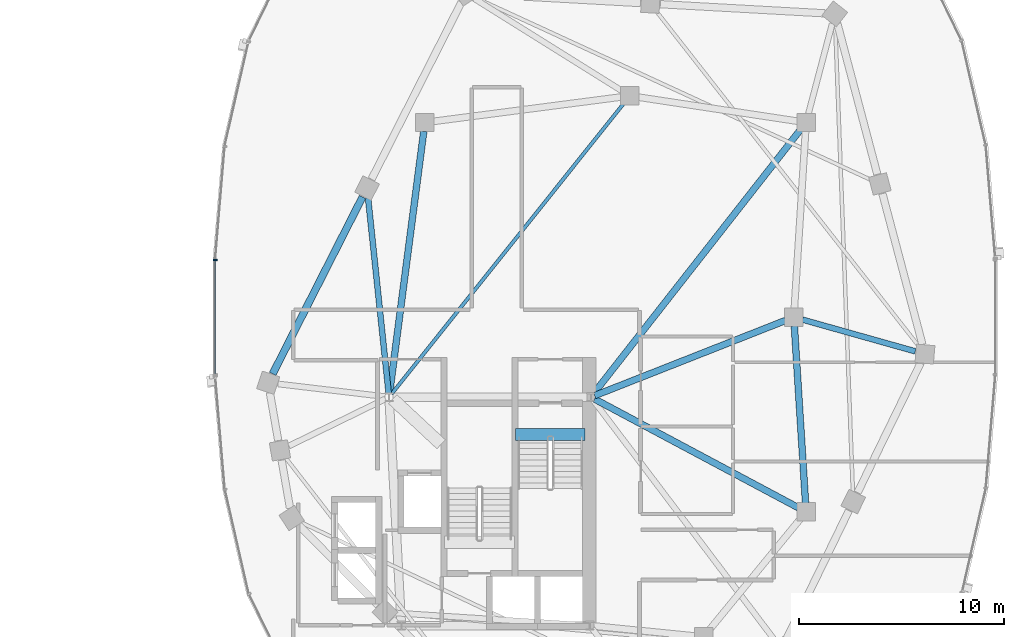
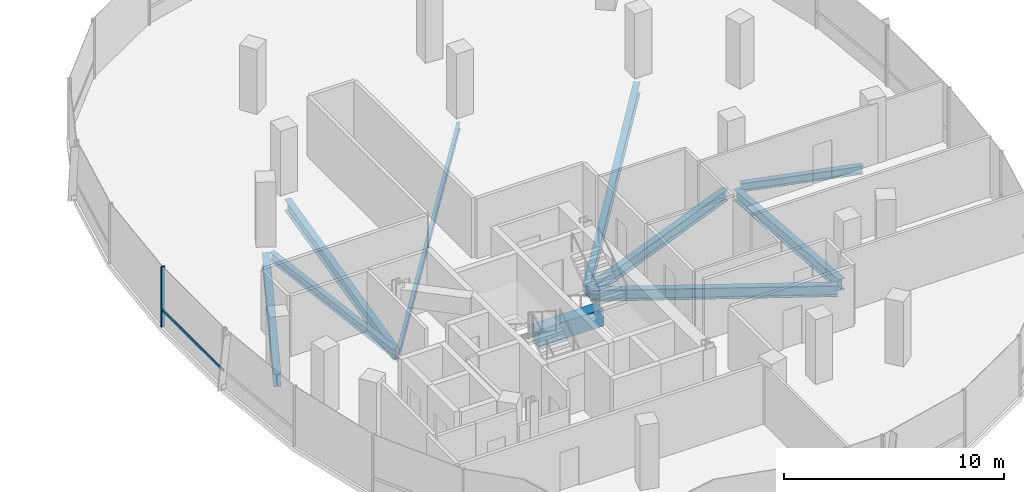
# One storey, part 9 of 25: 10 beams, 2 members, 1 element without a shape of its own.
"""IFC4 building model written with IfcOpenShell, lengths in metres."""

from ifc_helpers import new_model, si_unit, direction, frame, origin, origin_2d, place, context, subcontext, project, spatial, rectangle, i_section, extrude, material, material_profile, profile_set, type_object, element, aggregate, save


model = new_model("IFC4")

# Units and contexts
model_context = context("Model", 3, precision=1e-05, world=origin(), true_north=direction((0.0, 1.0)))
body_context = subcontext(model_context, "Body", "Model", "MODEL_VIEW")
ifc_project = project(units=[si_unit("LENGTHUNIT", "METRE"), si_unit("AREAUNIT", "SQUARE_METRE"), si_unit("VOLUMEUNIT", "CUBIC_METRE"), si_unit("PLANEANGLEUNIT", "RADIAN"), si_unit("MASSUNIT", "GRAM", prefix="KILO"), si_unit("THERMODYNAMICTEMPERATUREUNIT", "KELVIN"), si_unit("POWERUNIT", "WATT")], contexts=[model_context])

# Site, building, storey
site_placement = place(None, origin())
site = spatial("IfcSite", under=ifc_project, at=site_placement, CompositionType="ELEMENT")
building_placement = place(site_placement, origin())
building = spatial("IfcBuilding", under=site, at=building_placement, Name="Cundina Bronze Exchange", CompositionType="ELEMENT")
storey_placement = place(building_placement, frame((0.0, 0.0, 191.800048828125)))
storey = spatial("IfcBuildingStorey", under=building, at=storey_placement, Name="L50", CompositionType="ELEMENT", Elevation=191.800048828125)

# Beams
ifc_material_1 = material(Name="Concrete C60/75", Category="concrete")
ifc_material_profile_1 = material_profile(ifc_material_1, rectangle(XDim=0.60009765625, YDim=0.949951171875, at=origin_2d()), Name="RC600X950", Category="concrete")
ifc_profile_set_1 = profile_set([ifc_material_profile_1], Name="Concrete C60/75")
beam_type_1 = type_object("IfcBeamType", Name="BM-COUP-RC950", PredefinedType="LINTEL", material=ifc_profile_set_1)
beam_1_placement = place(storey_placement, frame((27.6201171875, -5.719970703125, -0.47509765625), z_axis=(1.0, 0.0, 0.0), x_axis=(0.0, 1.0, 0.0)))
element("IfcBeam", 1, at=beam_1_placement, inside=storey, type_object=beam_type_1, Name="L50 Stair E1 Landing Header Beam", PredefinedType="LINTEL", context=body_context, shape_type="SweptSolid", body=[
    extrude(rectangle(XDim=0.60009765625, YDim=0.949951171875, at=origin_2d()), origin(), (0.0, 0.0, 1.0), 3.39990234375),
])
ifc_material_2 = material(Name="Steel ASTM A992 Grade 50", Category="steel")
ifc_material_profile_2 = material_profile(ifc_material_2, i_section(OverallWidth=0.280029296875, OverallDepth=0.462890625, WebThickness=0.0107421875, FlangeThickness=0.017333984375, FilletRadius=0.011962890625, at=origin_2d()), Name="W18X76", Category="steel")
ifc_profile_set_2 = profile_set([ifc_material_profile_2], Name="Steel ASTM A992 Grade 50")
beam_type_2 = type_object("IfcBeamType", Name="BM-FLR-W18A", PredefinedType="BEAM", material=ifc_profile_set_2)
beam_2_placement = place(storey_placement, frame((41.62158203125, -0.11865234375, -0.491455078125), z_axis=(0.962649202648, -0.270751754643, 0.0), x_axis=(0.270751754643, 0.962649202648, 0.0)))
element("IfcBeam", 2, at=beam_2_placement, inside=storey, type_object=beam_type_2, Name="L50 Leg E Chordal Floor Beam 08", PredefinedType="BEAM", context=body_context, shape_type="SweptSolid", body=[
    extrude(i_section(OverallWidth=0.280029296875, OverallDepth=0.462890625, WebThickness=0.0107421875, FlangeThickness=0.017333984375, FilletRadius=0.011962890625, at=origin_2d()), origin(), (0.0, 0.0, 1.0), 5.72216796875),
])
beam_3_placement = place(storey_placement, frame((21.429443359375, -3.705078125, -0.491455078125), z_axis=(-0.104822856345, 0.994490909354, 0.0), x_axis=(-0.994490909354, -0.104822856345, 0.0)))
element("IfcBeam", 3, at=beam_3_placement, inside=storey, type_object=beam_type_2, Name="L50 Leg E Chordal Floor Beam 13", PredefinedType="BEAM", context=body_context, shape_type="SweptSolid", body=[
    extrude(i_section(OverallWidth=0.280029296875, OverallDepth=0.462890625, WebThickness=0.0107421875, FlangeThickness=0.017333984375, FilletRadius=0.011962890625, at=origin_2d()), origin(), (0.0, 0.0, 1.0), 9.572509765625),
])
ifc_material_profile_3 = material_profile(ifc_material_2, i_section(OverallWidth=0.172119140625, OverallDepth=0.35791015625, WebThickness=0.0078125, FlangeThickness=0.01318359375, FilletRadius=0.010009765625, at=origin_2d()), Name="W14X38", Category="steel")
ifc_profile_set_3 = profile_set([ifc_material_profile_3], Name="Steel ASTM A992 Grade 50")
beam_type_3 = type_object("IfcBeamType", Name="BM-JST-W14", PredefinedType="JOIST", material=ifc_profile_set_3)
beam_4_placement = place(storey_placement, frame((21.572509765625, -3.746826171875, -0.43896484375), z_axis=(0.624364266872, 0.781133319129, 0.0), x_axis=(-0.781133319129, 0.624364266872, 0.0)))
element("IfcBeam", 4, at=beam_4_placement, inside=storey, type_object=beam_type_3, Name="L50 E Interior Core-to-Ring Joist 2", PredefinedType="JOIST", context=body_context, shape_type="SweptSolid", body=[
    extrude(i_section(OverallWidth=0.172119140625, OverallDepth=0.35791015625, WebThickness=0.0078125, FlangeThickness=0.01318359375, FilletRadius=0.010009765625, at=origin_2d()), origin(), (0.0, 0.0, 1.0), 18.184814453125),
])
ifc_material_profile_4 = material_profile(ifc_material_2, i_section(OverallWidth=0.324951171875, OverallDepth=0.615966796875, WebThickness=0.013916015625, FlangeThickness=0.021484375, FilletRadius=0.01611328125, at=origin_2d()), Name="W24X117", Category="steel")
ifc_profile_set_4 = profile_set([ifc_material_profile_4], Name="Steel ASTM A992 Grade 50")
beam_type_4 = type_object("IfcBeamType", Name="BM-RING-W24", PredefinedType="USERDEFINED", material=ifc_profile_set_4)
beam_5_placement = place(storey_placement, frame((41.7724609375, -9.06298828125, -0.568115234375), z_axis=(-0.063046519736, 0.998010589297, 0.0), x_axis=(-0.998010589297, -0.063046519736, 0.0)))
element("IfcBeam", 5, at=beam_5_placement, inside=storey, type_object=beam_type_4, Name="L50 E Inner Structural Ring Girder 03", ObjectType="GIRDER", PredefinedType="USERDEFINED", context=body_context, shape_type="SweptSolid", body=[
    extrude(i_section(OverallWidth=0.324951171875, OverallDepth=0.615966796875, WebThickness=0.013916015625, FlangeThickness=0.021484375, FilletRadius=0.01611328125, at=origin_2d()), origin(), (0.0, 0.0, 1.0), 8.64306640625),
])
beam_6_placement = place(storey_placement, frame((23.143310546875, 9.065673828125, -0.568115234375), z_axis=(-0.129501251979, -0.991579258424, 0.0), x_axis=(0.991579258424, -0.129501251979, 0.0)))
element("IfcBeam", 6, at=beam_6_placement, inside=storey, type_object=beam_type_4, Name="L50 E Inner Structural Ring Girder 07", ObjectType="GIRDER", PredefinedType="USERDEFINED", context=body_context, shape_type="SweptSolid", body=[
    extrude(i_section(OverallWidth=0.324951171875, OverallDepth=0.615966796875, WebThickness=0.013916015625, FlangeThickness=0.021484375, FilletRadius=0.01611328125, at=origin_2d()), origin(), (0.0, 0.0, 1.0), 12.8798828125),
])
beam_7_placement = place(storey_placement, frame((31.482421875, -3.828125, -0.568115234375), z_axis=(0.930404106569, 0.366535398673, 0.0), x_axis=(-0.366535398673, 0.930404106569, 0.0)))
element("IfcBeam", 7, at=beam_7_placement, inside=storey, type_object=beam_type_4, Name="L50 E Core-to-Waist Tie Beam 1", ObjectType="GIRDER", PredefinedType="USERDEFINED", context=body_context, shape_type="SweptSolid", body=[
    extrude(i_section(OverallWidth=0.324951171875, OverallDepth=0.615966796875, WebThickness=0.013916015625, FlangeThickness=0.021484375, FilletRadius=0.01611328125, at=origin_2d()), origin(), (0.0, 0.0, 1.0), 10.00634765625),
])
beam_8_placement = place(storey_placement, frame((31.472900390625, -3.9921875, -0.568115234375), z_axis=(0.882350541683, -0.470592734317, 0.0), x_axis=(0.470592734317, 0.882350541683, 0.0)))
element("IfcBeam", 8, at=beam_8_placement, inside=storey, type_object=beam_type_4, Name="L50 E Core-to-Waist Tie Beam 2", ObjectType="GIRDER", PredefinedType="USERDEFINED", context=body_context, shape_type="SweptSolid", body=[
    extrude(i_section(OverallWidth=0.324951171875, OverallDepth=0.615966796875, WebThickness=0.013916015625, FlangeThickness=0.021484375, FilletRadius=0.01611328125, at=origin_2d()), origin(), (0.0, 0.0, 1.0), 11.26611328125),
])
beam_9_placement = place(storey_placement, frame((31.4208984375, -3.74560546875, -0.568115234375), z_axis=(0.616782900053, 0.787133314123, 0.0), x_axis=(-0.787133314123, 0.616782900053, 0.0)))
element("IfcBeam", 9, at=beam_9_placement, inside=storey, type_object=beam_type_4, Name="L50 E Core-to-Waist Tie Beam 3", ObjectType="GIRDER", PredefinedType="USERDEFINED", context=body_context, shape_type="SweptSolid", body=[
    extrude(i_section(OverallWidth=0.324951171875, OverallDepth=0.615966796875, WebThickness=0.013916015625, FlangeThickness=0.021484375, FilletRadius=0.01611328125, at=origin_2d()), origin(), (0.0, 0.0, 1.0), 16.3896484375),
])
ifc_material_profile_5 = material_profile(ifc_material_2, i_section(OverallWidth=0.35498046875, OverallDepth=0.695068359375, WebThickness=0.015380859375, FlangeThickness=0.02490234375, FilletRadius=0.01806640625, at=origin_2d()), Name="W27X146", Category="steel")
ifc_profile_set_5 = profile_set([ifc_material_profile_5], Name="Steel ASTM A992 Grade 50")
beam_type_5 = type_object("IfcBeamType", Name="BM-RING-W27", PredefinedType="USERDEFINED", material=ifc_profile_set_5)
beam_10_placement = place(storey_placement, frame((20.154052734375, 5.864990234375, -0.607666015625), z_axis=(-0.452834585354, -0.891594548159, 0.0), x_axis=(0.891594548159, -0.452834585354, 0.0)))
element("IfcBeam", 10, at=beam_10_placement, inside=storey, type_object=beam_type_5, Name="L50 E Perimeter Ring Girder 13", ObjectType="GIRDER", PredefinedType="USERDEFINED", context=body_context, shape_type="SweptSolid", body=[
    extrude(i_section(OverallWidth=0.35498046875, OverallDepth=0.695068359375, WebThickness=0.015380859375, FlangeThickness=0.02490234375, FilletRadius=0.01806640625, at=origin_2d()), origin(), (0.0, 0.0, 1.0), 9.67919921875),
])

# Curtain wall, members
ifc_material_3 = material(Name="Anodised Bronze Aluminium 6063-T6", Category="aluminium")
curtain_wall_type = type_object("IfcCurtainWallType", Name="CWS-UPP-OFF", PredefinedType="NOTDEFINED", material=ifc_material_3)
curtain_wall_placement = place(storey_placement, origin())
curtain_wall = element("IfcCurtainWall", 11, at=curtain_wall_placement, inside=storey, type_object=curtain_wall_type, Name="L50 CW-05 Curtain Wall Run CWR-L50-E2", PredefinedType="NOTDEFINED")
ifc_material_profile_6 = material_profile(ifc_material_3, rectangle(XDim=0.070068359375, YDim=0.18994140625, at=origin_2d()), Name="AL70X190", Category="aluminium")
ifc_profile_set_6 = profile_set([ifc_material_profile_6], Name="Anodised Bronze Aluminium 6063-T6")
member_type_1 = type_object("IfcMemberType", Name="CWM-MUL-190", PredefinedType="MULLION", material=ifc_profile_set_6)
member_1_placement = place(storey_placement, frame((12.966064453125, 2.794921875, 0.0), z_axis=(0.0, 0.0, 1.0), x_axis=(0.0, -1.0, 0.0)))
member_1 = element("IfcMember", 12, at=member_1_placement, type_object=member_type_1, Name="CW-05 Mullion 7", PredefinedType="MULLION", context=body_context, shape_type="SweptSolid", body=[
    extrude(rectangle(XDim=0.070068359375, YDim=0.18994140625, at=origin_2d()), origin(), (0.0, 0.0, 1.0), 3.33984375),
])
ifc_material_profile_7 = material_profile(ifc_material_3, rectangle(XDim=0.06494140625, YDim=0.14990234375, at=origin_2d()), Name="AL65X150", Category="aluminium")
ifc_profile_set_7 = profile_set([ifc_material_profile_7], Name="Anodised Bronze Aluminium 6063-T6")
member_type_2 = type_object("IfcMemberType", Name="CWM-TRN-150", PredefinedType="USERDEFINED", material=ifc_profile_set_7)
member_2_placement = place(storey_placement, frame((12.966064453125, 2.756591796875, 0.919921875), z_axis=(0.0, -1.0, 0.0), x_axis=(1.0, 0.0, 0.0)))
member_2 = element("IfcMember", 13, at=member_2_placement, type_object=member_type_2, Name="CW-05 Spandrel Transom 7", ObjectType="TRANSOM", PredefinedType="USERDEFINED", context=body_context, shape_type="SweptSolid", body=[
    extrude(rectangle(XDim=0.06494140625, YDim=0.14990234375, at=origin_2d()), origin(), (0.0, 0.0, 1.0), 5.51318359375),
])
aggregate(curtain_wall, [member_1, member_2])

save(model, "model.ifc")
